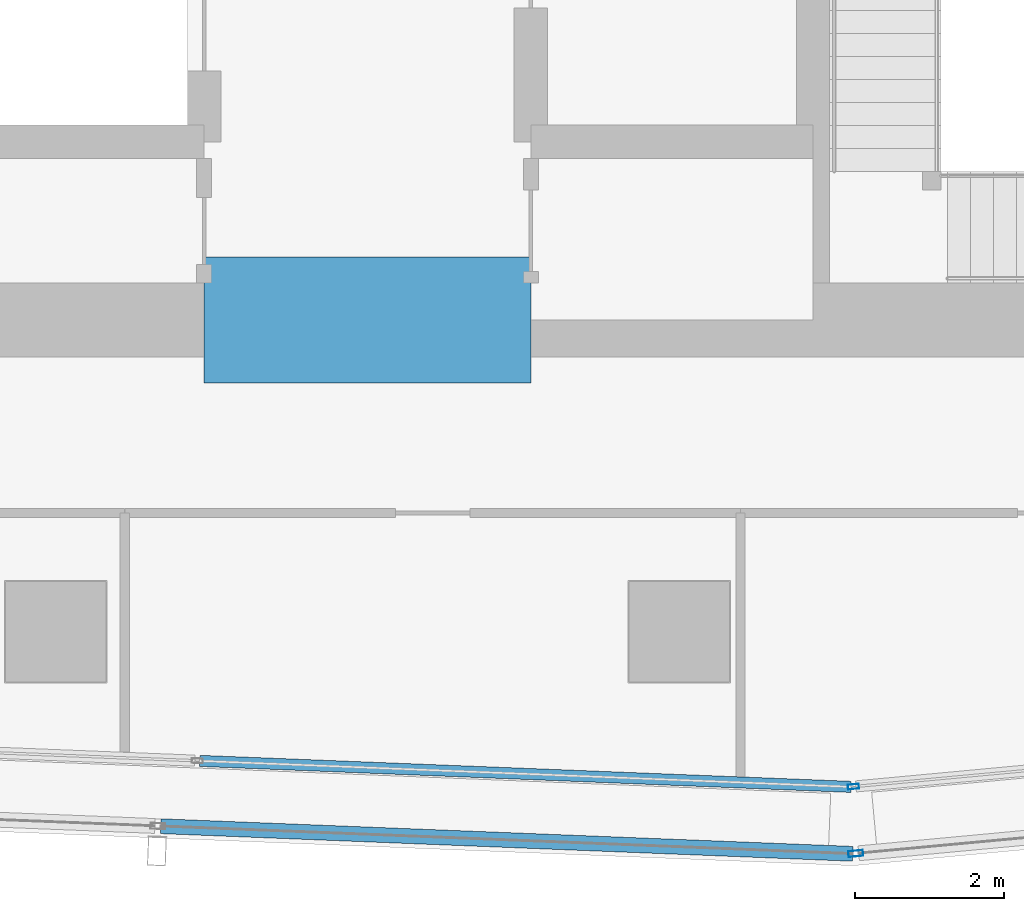
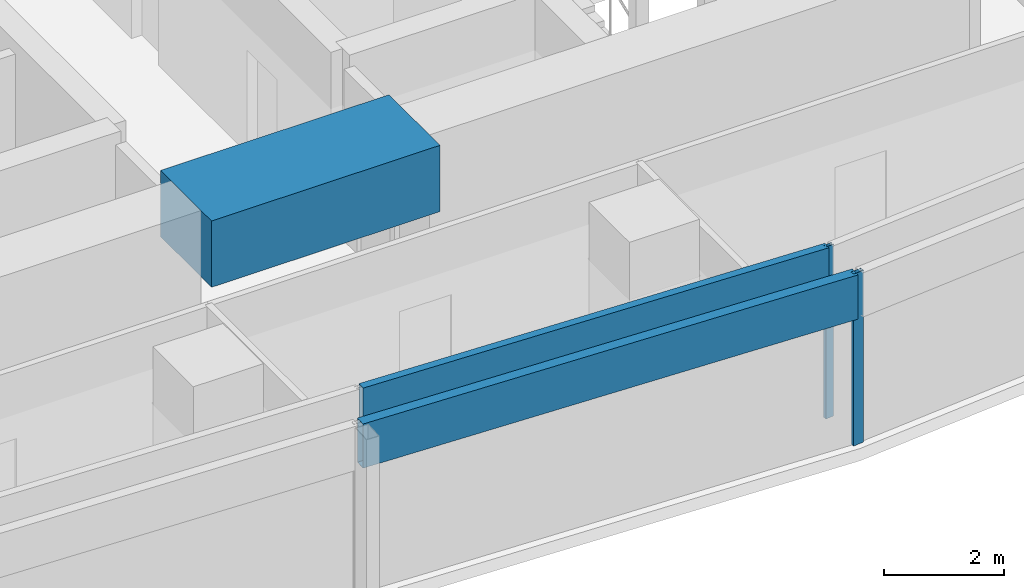
# One storey, part 10 of 40: 4 members, 1 beam, 4 elements without a shape of their own.
"""IFC4 building model written with IfcOpenShell, lengths in metres."""

from ifc_helpers import new_model, si_unit, direction, frame, origin, origin_2d, place, context, subcontext, project, spatial, rectangle, hollow_rectangle, extrude, material, material_profile, profile_set, type_object, element, aggregate, save


model = new_model("IFC4")

# Units and contexts
model_context = context("Model", 3, precision=1e-05, world=origin(), true_north=direction((0.0, 1.0)))
body_context = subcontext(model_context, "Body", "Model", "MODEL_VIEW")
ifc_project = project(units=[si_unit("LENGTHUNIT", "METRE"), si_unit("AREAUNIT", "SQUARE_METRE"), si_unit("VOLUMEUNIT", "CUBIC_METRE"), si_unit("PLANEANGLEUNIT", "RADIAN"), si_unit("MASSUNIT", "GRAM", prefix="KILO")], contexts=[model_context])

# Site, building, storey
site_placement = place(None, origin())
site = spatial("IfcSite", under=ifc_project, at=site_placement, CompositionType="ELEMENT")
building_placement = place(site_placement, origin())
building = spatial("IfcBuilding", under=site, at=building_placement, Name="Rekha Terrace Tower", CompositionType="ELEMENT")
storey_placement = place(building_placement, frame((0.0, 0.0, 213.949951171875)))
storey = spatial("IfcBuildingStorey", under=building, at=storey_placement, Name="L54", CompositionType="ELEMENT", Elevation=213.949951171875)

# Curtain wall, member
ifc_material_1 = material(Name="Aluminium framing", Category="aluminium")
curtain_wall_type_1 = type_object("IfcCurtainWallType", Name="CW1 double skin inner glazing", PredefinedType="USERDEFINED", material=ifc_material_1)
curtain_wall_1_placement = place(storey_placement, origin())
curtain_wall_1 = element("IfcCurtainWall", 1, at=curtain_wall_1_placement, inside=storey, type_object=curtain_wall_type_1, Name="CW1 double skin inner glazing", ObjectType="DOUBLE SKIN INNER GLAZING", PredefinedType="USERDEFINED")
ifc_material_2 = material(Name="Aluminium mullion section", Category="aluminium")
ifc_material_profile_1 = material_profile(ifc_material_2, hollow_rectangle(XDim=0.06494140625, YDim=0.14990234375, WallThickness=0.00390625, at=origin_2d()), Name="AL RHS 65x150")
ifc_profile_set_1 = profile_set([ifc_material_profile_1], Name="Aluminium mullion section")
member_type_1 = type_object("IfcMemberType", Name="CW1 mullion RHS 65 x 150", PredefinedType="MULLION", material=ifc_profile_set_1)
member_1_placement = place(storey_placement, frame((44.34423828125, 14.715087890625, 0.0), z_axis=(0.0, 0.0, 1.0), x_axis=(-0.092708869564, 0.995693258742, 0.0)))
member_1 = element("IfcMember", 2, at=member_1_placement, type_object=member_type_1, Name="CW1 mullion 1", PredefinedType="MULLION", context=body_context, shape_type="SweptSolid", body=[
    extrude(hollow_rectangle(XDim=0.06494140625, YDim=0.14990234375, WallThickness=0.00390625, at=origin_2d()), origin(), (0.0, 0.0, 1.0), 3.5),
])
aggregate(curtain_wall_1, [member_1])

curtain_wall_2_placement = place(storey_placement, origin())
curtain_wall_2 = element("IfcCurtainWall", 3, at=curtain_wall_2_placement, inside=storey, type_object=curtain_wall_type_1, Name="CW1 double skin inner glazing", ObjectType="DOUBLE SKIN INNER GLAZING", PredefinedType="USERDEFINED")
ifc_material_3 = material(Name="Insulated aluminium spandrel box", Category="aluminium")
ifc_material_profile_2 = material_profile(ifc_material_3, hollow_rectangle(XDim=0.14990234375, YDim=0.89990234375, WallThickness=0.0029296875, at=origin_2d()), Name="AL SPANDREL BOX 150x900")
ifc_profile_set_2 = profile_set([ifc_material_profile_2], Name="Insulated aluminium spandrel box")
member_type_2 = type_object("IfcMemberType", Name="CW1 spandrel transom 150 x 900", PredefinedType="USERDEFINED", material=ifc_profile_set_2)
member_2_placement = place(storey_placement, frame((35.5400390625, 15.06201171875, 3.050048828125), z_axis=(0.999204464505, -0.039880297311, 0.0), x_axis=(0.039880297311, 0.999204464505, 0.0)))
member_2 = element("IfcMember", 4, at=member_2_placement, type_object=member_type_2, Name="CW1 spandrel transom 4", ObjectType="TRANSOM", PredefinedType="USERDEFINED", context=body_context, shape_type="SweptSolid", body=[
    extrude(hollow_rectangle(XDim=0.14990234375, YDim=0.89990234375, WallThickness=0.0029296875, at=origin_2d()), origin(), (0.0, 0.0, 1.0), 8.77880859375),
])
aggregate(curtain_wall_2, [member_2])

curtain_wall_type_2 = type_object("IfcCurtainWallType", Name="CW2 double skin outer glazing", PredefinedType="USERDEFINED", material=ifc_material_1)
curtain_wall_3_placement = place(storey_placement, origin())
curtain_wall_3 = element("IfcCurtainWall", 5, at=curtain_wall_3_placement, inside=storey, type_object=curtain_wall_type_2, Name="CW2 double skin outer glazing", ObjectType="DOUBLE SKIN OUTER GLAZING", PredefinedType="USERDEFINED")
ifc_material_profile_3 = material_profile(ifc_material_2, hollow_rectangle(XDim=0.080078125, YDim=0.199951171875, WallThickness=0.00390625, at=origin_2d()), Name="AL RHS 80x200")
ifc_profile_set_3 = profile_set([ifc_material_profile_3], Name="Aluminium mullion section")
member_type_3 = type_object("IfcMemberType", Name="CW2 mullion RHS 80 x 200", PredefinedType="MULLION", material=ifc_profile_set_3)
member_3_placement = place(storey_placement, frame((44.37548828125, 13.81396484375, 0.0), z_axis=(0.0, 0.0, 1.0), x_axis=(-0.092708869512, 0.995693258747, 0.0)))
member_3 = element("IfcMember", 6, at=member_3_placement, type_object=member_type_3, Name="CW2 mullion 1", PredefinedType="MULLION", context=body_context, shape_type="SweptSolid", body=[
    extrude(hollow_rectangle(XDim=0.080078125, YDim=0.199951171875, WallThickness=0.00390625, at=origin_2d()), origin(), (0.0, 0.0, 1.0), 3.5),
])
aggregate(curtain_wall_3, [member_3])

curtain_wall_4_placement = place(storey_placement, origin())
curtain_wall_4 = element("IfcCurtainWall", 7, at=curtain_wall_4_placement, inside=storey, type_object=curtain_wall_type_2, Name="CW2 double skin outer glazing", ObjectType="DOUBLE SKIN OUTER GLAZING", PredefinedType="USERDEFINED")
ifc_material_profile_4 = material_profile(ifc_material_3, hollow_rectangle(XDim=0.199951171875, YDim=0.89990234375, WallThickness=0.0029296875, at=origin_2d()), Name="AL SPANDREL BOX 200x900")
ifc_profile_set_4 = profile_set([ifc_material_profile_4], Name="Insulated aluminium spandrel box")
member_type_4 = type_object("IfcMemberType", Name="CW2 spandrel transom 200 x 900", PredefinedType="USERDEFINED", material=ifc_profile_set_4)
member_4_placement = place(storey_placement, frame((35.01708984375, 14.18212890625, 3.050048828125), z_axis=(0.999204884837, -0.039869764458, 0.0), x_axis=(0.039869764458, 0.999204884837, 0.0)))
member_4 = element("IfcMember", 8, at=member_4_placement, type_object=member_type_4, Name="CW2 spandrel transom 4", ObjectType="TRANSOM", PredefinedType="USERDEFINED", context=body_context, shape_type="SweptSolid", body=[
    extrude(hollow_rectangle(XDim=0.199951171875, YDim=0.89990234375, WallThickness=0.0029296875, at=origin_2d()), origin(), (0.0, 0.0, 1.0), 9.325927734375),
])
aggregate(curtain_wall_4, [member_4])

# Beam
ifc_material_4 = material(Name="Concrete M60", Category="concrete")
ifc_material_profile_5 = material_profile(ifc_material_4, rectangle(XDim=1.699951171875, YDim=1.35009765625, at=origin_2d()), Name="RC 1700x1350")
ifc_profile_set_5 = profile_set([ifc_material_profile_5], Name="Concrete M60")
beam_type = type_object("IfcBeamType", Name="LB3A 1700x1350 diagonally reinforced coupling beam", PredefinedType="LINTEL", material=ifc_profile_set_5)
beam_placement = place(storey_placement, frame((35.60009765625, 21.0, 3.074951171875), z_axis=(1.0, 0.0, 0.0), x_axis=(0.0, 1.0, 0.0)))
element("IfcBeam", 9, at=beam_placement, inside=storey, type_object=beam_type, Name="Coupling beam LB3A S L54", PredefinedType="LINTEL", context=body_context, shape_type="SweptSolid", body=[
    extrude(rectangle(XDim=1.699951171875, YDim=1.35009765625, at=origin_2d()), origin(), (0.0, 0.0, 1.0), 4.39990234375),
])

save(model, "model.ifc")
